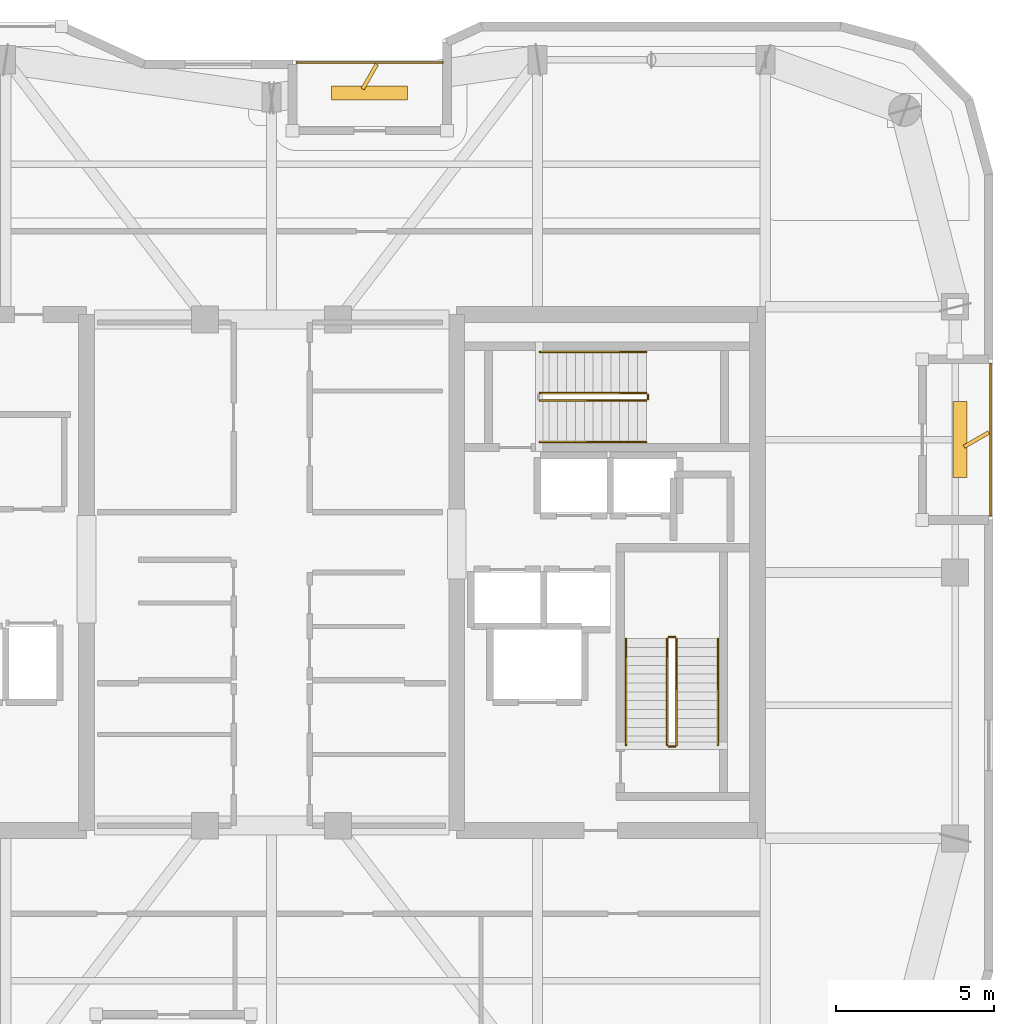
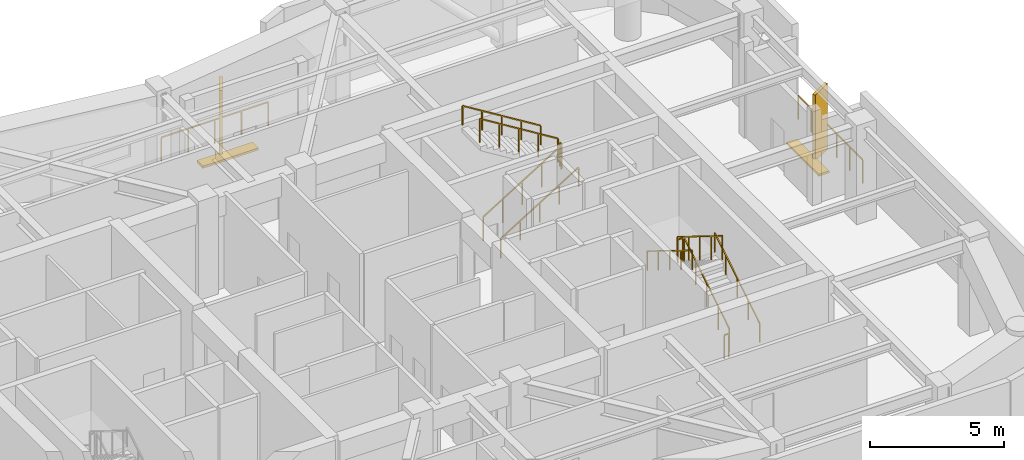
# One storey, part 16 of 16: 13 railings, 4 shading devices.
"""IFC4 building model written with IfcOpenShell, lengths in metres."""

from ifc_helpers import new_model, si_unit, direction, frame, origin, origin_2d, place, context, subcontext, project, spatial, rectangle, extrude, material, type_object, element, save


model = new_model("IFC4")

# Units and contexts
model_context = context("Model", 3, precision=1e-05, world=origin(), true_north=direction((0.0, 1.0)))
body_context = subcontext(model_context, "Body", "Model", "MODEL_VIEW")
ifc_project = project(units=[si_unit("LENGTHUNIT", "METRE"), si_unit("AREAUNIT", "SQUARE_METRE"), si_unit("VOLUMEUNIT", "CUBIC_METRE"), si_unit("PLANEANGLEUNIT", "RADIAN"), si_unit("MASSUNIT", "GRAM", prefix="KILO")], contexts=[model_context])

# Site, building, storey
site_placement = place(None, origin())
site = spatial("IfcSite", under=ifc_project, at=site_placement, CompositionType="ELEMENT")
building_placement = place(site_placement, origin())
building = spatial("IfcBuilding", under=site, at=building_placement, Name="Kiyonajd Concourse Tower", CompositionType="ELEMENT")
storey_placement = place(building_placement, frame((0.0, 0.0, 337.5)))
storey = spatial("IfcBuildingStorey", under=building, at=storey_placement, Name="L85", CompositionType="ELEMENT", Elevation=337.5)

# Railings
ifc_material_1 = material(Name="Thermally Broken Anodised Aluminium", Category="aluminium")
railing_type_1 = type_object("IfcRailingType", Name="RL-GRD-LOG", PredefinedType="GUARDRAIL", material=ifc_material_1)
railing_1_placement = place(storey_placement, frame((53.39990234375, 52.1201171875, 0.0)))
element("IfcRailing", 1, at=railing_1_placement, inside=storey, type_object=railing_type_1, Name="L85 Engawa Loggia Perimeter Guard LOG-N", PredefinedType="GUARDRAIL", context=body_context, shape_type="SweptSolid", body=[
    extrude(rectangle(XDim=0.048095703125, YDim=0.048095703125, at=origin_2d()), frame((0.0, 0.0, 1.076171875), z_axis=(-1.0, 0.0, 0.0), x_axis=(0.0, -1.0, 0.0)), (0.0, 0.0, 1.0), 4.599853515625),
    extrude(rectangle(XDim=0.0419921875, YDim=0.0419921875, at=origin_2d()), origin(), (0.0, 0.0, 1.0), 1.052001953125),
    extrude(rectangle(XDim=0.0419921875, YDim=0.0419921875, at=origin_2d()), frame((-1.14990234375, 0.0, 0.0)), (0.0, 0.0, 1.0), 1.052001953125),
    extrude(rectangle(XDim=0.0419921875, YDim=0.0419921875, at=origin_2d()), frame((-2.2998046875, 0.0, 0.0)), (0.0, 0.0, 1.0), 1.052001953125),
    extrude(rectangle(XDim=0.0419921875, YDim=0.0419921875, at=origin_2d()), frame((-3.449951171875, 0.0, 0.0)), (0.0, 0.0, 1.0), 1.052001953125),
    extrude(rectangle(XDim=0.0419921875, YDim=0.0419921875, at=origin_2d()), frame((-4.599853515625, 0.0, 0.0)), (0.0, 0.0, 1.0), 1.052001953125),
])
railing_2_placement = place(storey_placement, frame((70.719970703125, 37.800048828125, 0.0)))
element("IfcRailing", 2, at=railing_2_placement, inside=storey, type_object=railing_type_1, Name="L85 Engawa Loggia Perimeter Guard LOG-E", PredefinedType="GUARDRAIL", context=body_context, shape_type="SweptSolid", body=[
    extrude(rectangle(XDim=0.048095703125, YDim=0.048095703125, at=origin_2d()), frame((0.0, 0.0, 1.076171875), z_axis=(0.0, 1.0, 0.0), x_axis=(-1.0, 0.0, 0.0)), (0.0, 0.0, 1.0), 4.800048828125),
    extrude(rectangle(XDim=0.0419921875, YDim=0.0419921875, at=origin_2d()), origin(), (0.0, 0.0, 1.0), 1.052001953125),
    extrude(rectangle(XDim=0.0419921875, YDim=0.0419921875, at=origin_2d()), frame((0.0, 0.9599609375, 0.0)), (0.0, 0.0, 1.0), 1.052001953125),
    extrude(rectangle(XDim=0.0419921875, YDim=0.0419921875, at=origin_2d()), frame((0.0, 1.919921875, 0.0)), (0.0, 0.0, 1.0), 1.052001953125),
    extrude(rectangle(XDim=0.0419921875, YDim=0.0419921875, at=origin_2d()), frame((0.0, 2.880126953125, 0.0)), (0.0, 0.0, 1.0), 1.052001953125),
    extrude(rectangle(XDim=0.0419921875, YDim=0.0419921875, at=origin_2d()), frame((0.0, 3.840087890625, 0.0)), (0.0, 0.0, 1.0), 1.052001953125),
    extrude(rectangle(XDim=0.0419921875, YDim=0.0419921875, at=origin_2d()), frame((0.0, 4.800048828125, 0.0)), (0.0, 0.0, 1.0), 1.052001953125),
])
ifc_material_2 = material(Name="Steel ASTM A500 Grade C", Category="steel")
railing_type_2 = type_object("IfcRailingType", Name="RL-GRD-STR", PredefinedType="GUARDRAIL", material=ifc_material_2)
railing_3_placement = place(storey_placement, frame((60.800048828125, 30.550048828125, 0.173095703125)))
element("IfcRailing", 3, at=railing_3_placement, inside=storey, type_object=railing_type_2, Name="L85 ST2 stair guard 1", PredefinedType="GUARDRAIL", context=body_context, shape_type="SweptSolid", body=[
    extrude(rectangle(XDim=0.048095703125, YDim=0.048095703125, at=origin_2d()), frame((0.0, 0.0, 1.076171875), z_axis=(0.0, 0.850606129759, 0.525803396734), x_axis=(-1.0, 0.0, 0.0)), (0.0, 0.0, 1.0), 3.949951171875),
    extrude(rectangle(XDim=0.0419921875, YDim=0.0419921875, at=origin_2d()), origin(), (0.0, 0.0, 1.0), 1.052001953125),
    extrude(rectangle(XDim=0.0419921875, YDim=0.0419921875, at=origin_2d()), frame((0.0, 0.83984375, 0.519287109375)), (0.0, 0.0, 1.0), 1.052001953125),
    extrude(rectangle(XDim=0.0419921875, YDim=0.0419921875, at=origin_2d()), frame((0.0, 1.679931640625, 1.03857421875)), (0.0, 0.0, 1.0), 1.052001953125),
    extrude(rectangle(XDim=0.0419921875, YDim=0.0419921875, at=origin_2d()), frame((0.0, 2.52001953125, 1.5576171875)), (0.0, 0.0, 1.0), 1.052001953125),
    extrude(rectangle(XDim=0.0419921875, YDim=0.0419921875, at=origin_2d()), frame((0.0, 3.35986328125, 2.076904296875)), (0.0, 0.0, 1.0), 1.052001953125),
])
railing_4_placement = place(storey_placement, frame((60.75, 33.9599609375, 2.25)))
element("IfcRailing", 4, at=railing_4_placement, inside=storey, type_object=railing_type_2, Name="L85 ST2 stair guard 2", PredefinedType="GUARDRAIL", context=body_context, shape_type="SweptSolid", body=[
    extrude(rectangle(XDim=0.048095703125, YDim=0.048095703125, at=origin_2d()), frame((0.0, 0.0, 1.076171875), z_axis=(-1.0, 0.0, 0.0), x_axis=(0.0, -1.0, 0.0)), (0.0, 0.0, 1.0), 0.199951171875),
    extrude(rectangle(XDim=0.0419921875, YDim=0.0419921875, at=origin_2d()), origin(), (0.0, 0.0, 1.0), 1.052001953125),
    extrude(rectangle(XDim=0.0419921875, YDim=0.0419921875, at=origin_2d()), frame((-0.199951171875, 0.0, 0.0)), (0.0, 0.0, 1.0), 1.052001953125),
])
railing_5_placement = place(storey_placement, frame((60.5, 33.909912109375, 2.423095703125)))
element("IfcRailing", 5, at=railing_5_placement, inside=storey, type_object=railing_type_2, Name="L85 ST2 stair guard 3", PredefinedType="GUARDRAIL", context=body_context, shape_type="SweptSolid", body=[
    extrude(rectangle(XDim=0.048095703125, YDim=0.048095703125, at=origin_2d()), frame((0.0, 0.0, 1.076171875), z_axis=(0.0, -0.850606129759, 0.525803396734), x_axis=(1.0, 0.0, 0.0)), (0.0, 0.0, 1.0), 3.949951171875),
    extrude(rectangle(XDim=0.0419921875, YDim=0.0419921875, at=origin_2d()), origin(), (0.0, 0.0, 1.0), 1.052001953125),
    extrude(rectangle(XDim=0.0419921875, YDim=0.0419921875, at=origin_2d()), frame((0.0, -0.83984375, 0.519287109375)), (0.0, 0.0, 1.0), 1.052001953125),
    extrude(rectangle(XDim=0.0419921875, YDim=0.0419921875, at=origin_2d()), frame((0.0, -1.679931640625, 1.03857421875)), (0.0, 0.0, 1.0), 1.052001953125),
    extrude(rectangle(XDim=0.0419921875, YDim=0.0419921875, at=origin_2d()), frame((0.0, -2.52001953125, 1.5576171875)), (0.0, 0.0, 1.0), 1.052001953125),
    extrude(rectangle(XDim=0.0419921875, YDim=0.0419921875, at=origin_2d()), frame((0.0, -3.35986328125, 2.076904296875)), (0.0, 0.0, 1.0), 1.052001953125),
])
railing_6_placement = place(storey_placement, frame((60.75, 30.5, 0.0)))
element("IfcRailing", 6, at=railing_6_placement, inside=storey, type_object=railing_type_2, Name="L85 ST2 stair guard 4", PredefinedType="GUARDRAIL", context=body_context, shape_type="SweptSolid", body=[
    extrude(rectangle(XDim=0.048095703125, YDim=0.048095703125, at=origin_2d()), frame((0.0, 0.0, 1.076171875), z_axis=(-1.0, 0.0, 0.0), x_axis=(0.0, -1.0, 0.0)), (0.0, 0.0, 1.0), 0.199951171875),
    extrude(rectangle(XDim=0.0419921875, YDim=0.0419921875, at=origin_2d()), origin(), (0.0, 0.0, 1.0), 1.052001953125),
    extrude(rectangle(XDim=0.0419921875, YDim=0.0419921875, at=origin_2d()), frame((-0.199951171875, 0.0, 0.0)), (0.0, 0.0, 1.0), 1.052001953125),
])
railing_7_placement = place(storey_placement, frame((56.47998046875, 41.429931640625, 0.173095703125)))
element("IfcRailing", 7, at=railing_7_placement, inside=storey, type_object=railing_type_2, Name="L85 ST3 stair guard 1", PredefinedType="GUARDRAIL", context=body_context, shape_type="SweptSolid", body=[
    extrude(rectangle(XDim=0.048095703125, YDim=0.048095703125, at=origin_2d()), frame((0.0, 0.0, 1.076171875), z_axis=(0.850623216509, 0.0, 0.525775754039), x_axis=(0.0, 1.0, 0.0)), (0.0, 0.0, 1.0), 3.9501953125),
    extrude(rectangle(XDim=0.0419921875, YDim=0.0419921875, at=origin_2d()), origin(), (0.0, 0.0, 1.0), 1.052001953125),
    extrude(rectangle(XDim=0.0419921875, YDim=0.0419921875, at=origin_2d()), frame((0.840087890625, 0.0, 0.519287109375)), (0.0, 0.0, 1.0), 1.052001953125),
    extrude(rectangle(XDim=0.0419921875, YDim=0.0419921875, at=origin_2d()), frame((1.68017578125, 0.0, 1.03857421875)), (0.0, 0.0, 1.0), 1.052001953125),
    extrude(rectangle(XDim=0.0419921875, YDim=0.0419921875, at=origin_2d()), frame((2.52001953125, 0.0, 1.5576171875)), (0.0, 0.0, 1.0), 1.052001953125),
    extrude(rectangle(XDim=0.0419921875, YDim=0.0419921875, at=origin_2d()), frame((3.360107421875, 0.0, 2.076904296875)), (0.0, 0.0, 1.0), 1.052001953125),
])
railing_8_placement = place(storey_placement, frame((59.889892578125, 41.47998046875, 2.25)))
element("IfcRailing", 8, at=railing_8_placement, inside=storey, type_object=railing_type_2, Name="L85 ST3 stair guard 2", PredefinedType="GUARDRAIL", context=body_context, shape_type="SweptSolid", body=[
    extrude(rectangle(XDim=0.048095703125, YDim=0.048095703125, at=origin_2d()), frame((0.0, 0.0, 1.076171875), z_axis=(0.0, 1.0, 0.0), x_axis=(-1.0, 0.0, 0.0)), (0.0, 0.0, 1.0), 0.14013671875),
    extrude(rectangle(XDim=0.0419921875, YDim=0.0419921875, at=origin_2d()), origin(), (0.0, 0.0, 1.0), 1.052001953125),
    extrude(rectangle(XDim=0.0419921875, YDim=0.0419921875, at=origin_2d()), frame((0.0, 0.14013671875, 0.0)), (0.0, 0.0, 1.0), 1.052001953125),
])
railing_9_placement = place(storey_placement, frame((59.840087890625, 41.669921875, 2.423095703125)))
element("IfcRailing", 9, at=railing_9_placement, inside=storey, type_object=railing_type_2, Name="L85 ST3 stair guard 3", PredefinedType="GUARDRAIL", context=body_context, shape_type="SweptSolid", body=[
    extrude(rectangle(XDim=0.048095703125, YDim=0.048095703125, at=origin_2d()), frame((0.0, 0.0, 1.076171875), z_axis=(-0.850623216509, 0.0, 0.525775754039), x_axis=(0.0, -1.0, 0.0)), (0.0, 0.0, 1.0), 3.9501953125),
    extrude(rectangle(XDim=0.0419921875, YDim=0.0419921875, at=origin_2d()), origin(), (0.0, 0.0, 1.0), 1.052001953125),
    extrude(rectangle(XDim=0.0419921875, YDim=0.0419921875, at=origin_2d()), frame((-0.840087890625, 0.0, 0.519287109375)), (0.0, 0.0, 1.0), 1.052001953125),
    extrude(rectangle(XDim=0.0419921875, YDim=0.0419921875, at=origin_2d()), frame((-1.68017578125, 0.0, 1.03857421875)), (0.0, 0.0, 1.0), 1.052001953125),
    extrude(rectangle(XDim=0.0419921875, YDim=0.0419921875, at=origin_2d()), frame((-2.52001953125, 0.0, 1.5576171875)), (0.0, 0.0, 1.0), 1.052001953125),
    extrude(rectangle(XDim=0.0419921875, YDim=0.0419921875, at=origin_2d()), frame((-3.360107421875, 0.0, 2.076904296875)), (0.0, 0.0, 1.0), 1.052001953125),
])
ifc_material_3 = material(Name="Brushed Stainless Steel Cab Assembly", Category="steel")
railing_type_3 = type_object("IfcRailingType", Name="RL-HND-900", PredefinedType="HANDRAIL", material=ifc_material_3)
railing_10_placement = place(storey_placement, frame((62.10009765625, 30.550048828125, 0.173095703125)))
element("IfcRailing", 10, at=railing_10_placement, inside=storey, type_object=railing_type_3, Name="L85 ST2 stair handrail 1", PredefinedType="HANDRAIL", context=body_context, shape_type="SweptSolid", body=[
    extrude(rectangle(XDim=0.048095703125, YDim=0.048095703125, at=origin_2d()), frame((0.0, 0.0, 0.8759765625), z_axis=(0.0, 0.850606129759, 0.525803396734), x_axis=(-1.0, 0.0, 0.0)), (0.0, 0.0, 1.0), 3.949951171875),
    extrude(rectangle(XDim=0.0419921875, YDim=0.0419921875, at=origin_2d()), origin(), (0.0, 0.0, 1.0), 0.851806640625),
    extrude(rectangle(XDim=0.0419921875, YDim=0.0419921875, at=origin_2d()), frame((0.0, 0.83984375, 0.519287109375)), (0.0, 0.0, 1.0), 0.851806640625),
    extrude(rectangle(XDim=0.0419921875, YDim=0.0419921875, at=origin_2d()), frame((0.0, 1.679931640625, 1.03857421875)), (0.0, 0.0, 1.0), 0.851806640625),
    extrude(rectangle(XDim=0.0419921875, YDim=0.0419921875, at=origin_2d()), frame((0.0, 2.52001953125, 1.5576171875)), (0.0, 0.0, 1.0), 0.851806640625),
    extrude(rectangle(XDim=0.0419921875, YDim=0.0419921875, at=origin_2d()), frame((0.0, 3.35986328125, 2.076904296875)), (0.0, 0.0, 1.0), 0.851806640625),
])
railing_11_placement = place(storey_placement, frame((59.199951171875, 33.909912109375, 2.423095703125)))
element("IfcRailing", 11, at=railing_11_placement, inside=storey, type_object=railing_type_3, Name="L85 ST2 stair handrail 2", PredefinedType="HANDRAIL", context=body_context, shape_type="SweptSolid", body=[
    extrude(rectangle(XDim=0.048095703125, YDim=0.048095703125, at=origin_2d()), frame((0.0, 0.0, 0.8759765625), z_axis=(0.0, -0.850606129759, 0.525803396734), x_axis=(1.0, 0.0, 0.0)), (0.0, 0.0, 1.0), 3.949951171875),
    extrude(rectangle(XDim=0.0419921875, YDim=0.0419921875, at=origin_2d()), origin(), (0.0, 0.0, 1.0), 0.851806640625),
    extrude(rectangle(XDim=0.0419921875, YDim=0.0419921875, at=origin_2d()), frame((0.0, -0.83984375, 0.519287109375)), (0.0, 0.0, 1.0), 0.851806640625),
    extrude(rectangle(XDim=0.0419921875, YDim=0.0419921875, at=origin_2d()), frame((0.0, -1.679931640625, 1.03857421875)), (0.0, 0.0, 1.0), 0.851806640625),
    extrude(rectangle(XDim=0.0419921875, YDim=0.0419921875, at=origin_2d()), frame((0.0, -2.52001953125, 1.5576171875)), (0.0, 0.0, 1.0), 0.851806640625),
    extrude(rectangle(XDim=0.0419921875, YDim=0.0419921875, at=origin_2d()), frame((0.0, -3.35986328125, 2.076904296875)), (0.0, 0.0, 1.0), 0.851806640625),
])
railing_12_placement = place(storey_placement, frame((56.47998046875, 40.1298828125, 0.173095703125)))
element("IfcRailing", 12, at=railing_12_placement, inside=storey, type_object=railing_type_3, Name="L85 ST3 stair handrail 1", PredefinedType="HANDRAIL", context=body_context, shape_type="SweptSolid", body=[
    extrude(rectangle(XDim=0.048095703125, YDim=0.048095703125, at=origin_2d()), frame((0.0, 0.0, 0.8759765625), z_axis=(0.850623216509, 0.0, 0.525775754039), x_axis=(0.0, 1.0, 0.0)), (0.0, 0.0, 1.0), 3.9501953125),
    extrude(rectangle(XDim=0.0419921875, YDim=0.0419921875, at=origin_2d()), origin(), (0.0, 0.0, 1.0), 0.851806640625),
    extrude(rectangle(XDim=0.0419921875, YDim=0.0419921875, at=origin_2d()), frame((0.840087890625, 0.0, 0.519287109375)), (0.0, 0.0, 1.0), 0.851806640625),
    extrude(rectangle(XDim=0.0419921875, YDim=0.0419921875, at=origin_2d()), frame((1.68017578125, 0.0, 1.03857421875)), (0.0, 0.0, 1.0), 0.851806640625),
    extrude(rectangle(XDim=0.0419921875, YDim=0.0419921875, at=origin_2d()), frame((2.52001953125, 0.0, 1.5576171875)), (0.0, 0.0, 1.0), 0.851806640625),
    extrude(rectangle(XDim=0.0419921875, YDim=0.0419921875, at=origin_2d()), frame((3.360107421875, 0.0, 2.076904296875)), (0.0, 0.0, 1.0), 0.851806640625),
])
railing_13_placement = place(storey_placement, frame((59.840087890625, 42.969970703125, 2.423095703125)))
element("IfcRailing", 13, at=railing_13_placement, inside=storey, type_object=railing_type_3, Name="L85 ST3 stair handrail 2", PredefinedType="HANDRAIL", context=body_context, shape_type="SweptSolid", body=[
    extrude(rectangle(XDim=0.048095703125, YDim=0.048095703125, at=origin_2d()), frame((0.0, 0.0, 0.8759765625), z_axis=(-0.850623216509, 0.0, 0.525775754039), x_axis=(0.0, -1.0, 0.0)), (0.0, 0.0, 1.0), 3.9501953125),
    extrude(rectangle(XDim=0.0419921875, YDim=0.0419921875, at=origin_2d()), origin(), (0.0, 0.0, 1.0), 0.851806640625),
    extrude(rectangle(XDim=0.0419921875, YDim=0.0419921875, at=origin_2d()), frame((-0.840087890625, 0.0, 0.519287109375)), (0.0, 0.0, 1.0), 0.851806640625),
    extrude(rectangle(XDim=0.0419921875, YDim=0.0419921875, at=origin_2d()), frame((-1.68017578125, 0.0, 1.03857421875)), (0.0, 0.0, 1.0), 0.851806640625),
    extrude(rectangle(XDim=0.0419921875, YDim=0.0419921875, at=origin_2d()), frame((-2.52001953125, 0.0, 1.5576171875)), (0.0, 0.0, 1.0), 0.851806640625),
    extrude(rectangle(XDim=0.0419921875, YDim=0.0419921875, at=origin_2d()), frame((-3.360107421875, 0.0, 2.076904296875)), (0.0, 0.0, 1.0), 0.851806640625),
])

# Shading devices
ifc_material_4 = material(Name="Precast concrete C50/60", Category="concrete")
shading_device_type_1 = type_object("IfcShadingDeviceType", Name="SH-FIN-900", PredefinedType="USERDEFINED", material=ifc_material_4)
for number, where, z_axis, x_axis, name in (
    (14, (51.10009765625, 51.669921875, 0.0), (0.0, 0.0, 1.0), (0.5, 0.866025403784, 0.0), "L85 Angled Koshi Solar Fin LOG-N"),
    (15, (70.27001953125, 40.199951171875, 0.0), (0.0, 0.0, 1.0), (0.866025403784, 0.5, 0.0), "L85 Angled Koshi Solar Fin LOG-E"),
):
    element("IfcShadingDevice", number, at=place(storey_placement, frame(where, z_axis=z_axis, x_axis=x_axis)), inside=storey, type_object=shading_device_type_1, Name=name, ObjectType="FIN", PredefinedType="USERDEFINED", context=body_context, shape_type="SweptSolid", body=[
        extrude(rectangle(XDim=0.89990234375, YDim=0.1201171875, at=origin_2d()), origin(), (0.0, 0.0, 1.0), 3.0),
    ])
shading_device_type_2 = type_object("IfcShadingDeviceType", Name="SH-LVR-600", PredefinedType="JALOUSIE", material=ifc_material_1)
for number, where, z_axis, x_axis, name in (
    (16, (51.10009765625, 51.14990234375, 0.0), (0.0, 0.0, 1.0), (1.0, 0.0, 0.0), "L85 Loggia Threshold Louver LOG-N"),
    (17, (69.75, 40.199951171875, 0.0), (0.0, 0.0, 1.0), (0.0, 1.0, 0.0), "L85 Loggia Threshold Louver LOG-E"),
):
    element("IfcShadingDevice", number, at=place(storey_placement, frame(where, z_axis=z_axis, x_axis=x_axis)), inside=storey, type_object=shading_device_type_2, Name=name, PredefinedType="JALOUSIE", context=body_context, shape_type="SweptSolid", body=[
        extrude(rectangle(XDim=2.39990234375, YDim=0.449951171875, at=origin_2d()), origin(), (0.0, 0.0, 1.0), 0.10009765625),
    ])

save(model, "model.ifc")
